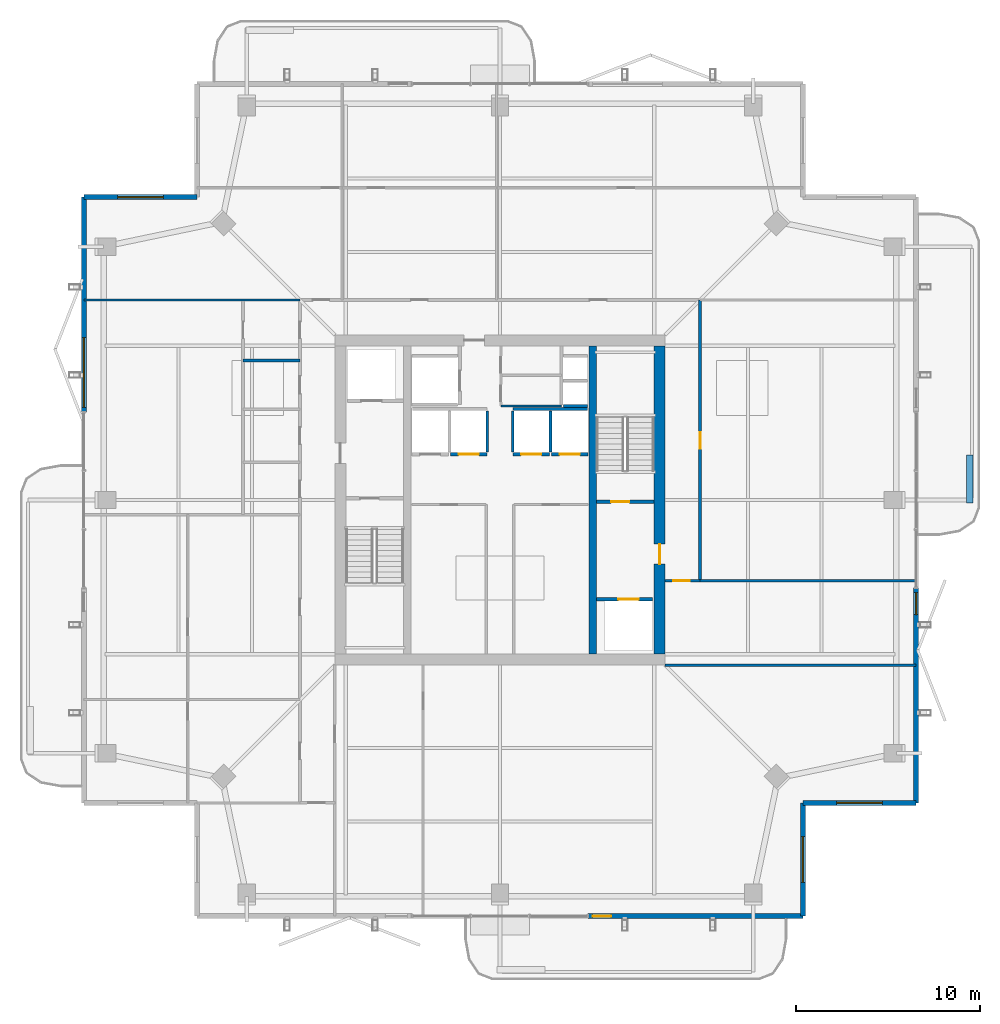
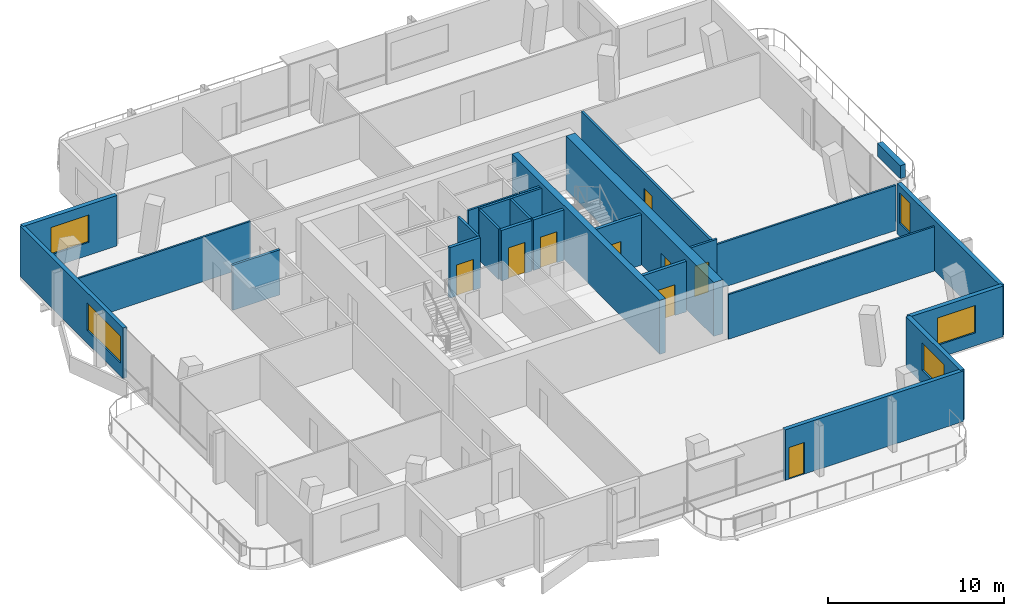
# One storey, part 15 of 20: 26 walls, 9 doors, 5 windows, 14 openings.
"""IFC4 building model written with IfcOpenShell, lengths in metres."""

from ifc_helpers import new_model, si_unit, direction, frame, frame_2d, origin, place, context, subcontext, project, spatial, rectangle, extrude, material, layer, layer_set, type_object, element, fill, save


model = new_model("IFC4")

# Units and contexts
model_context = context("Model", 3, precision=1e-05, world=origin(), true_north=direction((0.0, 1.0)))
body_context = subcontext(model_context, "Body", "Model", "MODEL_VIEW")
ifc_project = project(units=[si_unit("LENGTHUNIT", "METRE"), si_unit("AREAUNIT", "SQUARE_METRE"), si_unit("VOLUMEUNIT", "CUBIC_METRE"), si_unit("PLANEANGLEUNIT", "RADIAN"), si_unit("MASSUNIT", "GRAM", prefix="KILO")], contexts=[model_context])

# Site, building, storey
site_placement = place(None, origin())
site = spatial("IfcSite", under=ifc_project, at=site_placement, CompositionType="ELEMENT")
building_placement = place(site_placement, origin())
building = spatial("IfcBuilding", under=site, at=building_placement, Name="Belovzor Exchange Tower", CompositionType="ELEMENT")
storey_placement = place(building_placement, frame((0.0, 0.0, 329.25)))
storey = spatial("IfcBuildingStorey", under=building, at=storey_placement, Name="L82", CompositionType="ELEMENT", Elevation=329.25)

# Walls
ifc_material_1 = material(Name="Acoustic Plasterboard on Galvanised Studs", Category="gypsum")
ifc_layer_1 = layer(ifc_material_1, 0.1201171875)
ifc_layer_set_1 = layer_set([ifc_layer_1], Name="Acoustic Plasterboard on Galvanised Studs")
wall_type_1 = type_object("IfcWallType", Name="Acoustic Double-Stud Partition Wall 120", PredefinedType="PARTITIONING", material=ifc_layer_set_1)
wall_1_placement = place(storey_placement, frame((37.800048828125, 19.800048828125, 0.0), z_axis=(0.0, 0.0, 1.0), x_axis=(1.0, 0.0, 0.0)))
element("IfcWall", 1, at=wall_1_placement, inside=storey, type_object=wall_type_1, Name="W-P120 Partition Wall W-L82-ESS", PredefinedType="PARTITIONING", context=body_context, shape_type="SweptSolid", body=[
    extrude(rectangle(XDim=13.669921875, YDim=0.1201171875, at=frame_2d((6.8349609375, 0.0))), origin(), (0.0, 0.0, 1.0), 3.094970703125),
])
wall_2_placement = place(storey_placement, frame((39.699951171875, 24.39990234375, 0.0), z_axis=(0.0, 0.0, 1.0), x_axis=(1.0, 0.0, 0.0)))
element("IfcWall", 2, at=wall_2_placement, inside=storey, type_object=wall_type_1, Name="W-P120 Partition Wall W-L82-ESN", PredefinedType="PARTITIONING", context=body_context, shape_type="SweptSolid", body=[
    extrude(rectangle(XDim=11.77001953125, YDim=0.1201171875, at=frame_2d((5.885009765625, 0.0))), origin(), (0.0, 0.0, 1.0), 3.135009765625),
])
wall_3_placement = place(storey_placement, frame((6.1298828125, 39.699951171875, 0.0), z_axis=(0.0, 0.0, 1.0), x_axis=(1.0, 0.0, 0.0)))
element("IfcWall", 3, at=wall_3_placement, inside=storey, type_object=wall_type_1, Name="W-P120 Partition Wall W-L82-END-NW", PredefinedType="PARTITIONING", context=body_context, shape_type="SweptSolid", body=[
    extrude(rectangle(XDim=11.77001953125, YDim=0.1201171875, at=frame_2d((5.885009765625, 0.0))), origin(), (0.0, 0.0, 1.0), 3.094970703125),
])
ifc_material_2 = material(Name="Fire-Rated Plasterboard on Galvanised Studs", Category="gypsum")
ifc_layer_2 = layer(ifc_material_2, 0.1201171875)
ifc_layer_set_2 = layer_set([ifc_layer_2], Name="Fire-Rated Plasterboard on Galvanised Studs")
wall_type_2 = type_object("IfcWallType", Name="Fire-Rated Double-Stud Partition Wall 120", PredefinedType="PARTITIONING", material=ifc_layer_set_2)
wall_4_placement = place(storey_placement, frame((28.85009765625, 33.925048828125, 0.0), z_axis=(0.0, 0.0, 1.0), x_axis=(1.0, 0.0, 0.0)))
element("IfcWall", 4, at=wall_4_placement, inside=storey, type_object=wall_type_2, Name="W-P120F Partition Wall W-CRV-L82-S", PredefinedType="PARTITIONING", context=body_context, shape_type="SweptSolid", body=[
    extrude(rectangle(XDim=3.2998046875, YDim=0.1201171875, at=frame_2d((1.64990234375, 0.0))), origin(), (0.0, 0.0, 1.0), 3.510009765625),
])
ifc_material_3 = material(Name="Fire-Rated Gypsum Block and Mineral Wool", Category="gypsum")
ifc_layer_3 = layer(ifc_material_3, 0.14990234375)
ifc_layer_set_3 = layer_set([ifc_layer_3], Name="Fire-Rated Gypsum Block and Mineral Wool")
wall_type_3 = type_object("IfcWallType", Name="Fire-Rated Gypsum Block Corridor Wall 150", PredefinedType="PARTITIONING", material=ifc_layer_set_3)
wall_5_placement = place(storey_placement, frame((14.800048828125, 36.39990234375, 0.0), z_axis=(0.0, 0.0, 1.0), x_axis=(1.0, 0.0, 0.0)))
element("IfcWall", 5, at=wall_5_placement, inside=storey, type_object=wall_type_3, Name="W-P150 Partition Wall W-L82-WCN", PredefinedType="PARTITIONING", context=body_context, shape_type="SweptSolid", body=[
    extrude(rectangle(XDim=3.099853515625, YDim=0.14990234375, at=frame_2d((1.5498046875, 0.0))), origin(), (0.0, 0.0, 1.0), 3.135009765625),
])

# Wall, opening, door
wall_6_placement = place(storey_placement, frame((37.800048828125, 24.39990234375, 0.0), z_axis=(0.0, 0.0, 1.0), x_axis=(1.0, 0.0, 0.0)))
wall_6 = element("IfcWall", 6, at=wall_6_placement, inside=storey, type_object=wall_type_3, Name="W-P150 Partition Wall W-L82-CE-END", PredefinedType="PARTITIONING", context=body_context, shape_type="SweptSolid", body=[
    extrude(rectangle(XDim=1.89990234375, YDim=0.14990234375, at=frame_2d((0.949951171875, 0.0))), origin(), (0.0, 0.0, 1.0), 3.510009765625),
])
opening_1_placement = place(wall_6_placement, frame((0.449951171875, 0.0, 0.0)))
opening_1 = element("IfcOpeningElement", 7, at=opening_1_placement, cuts=wall_6, Name="Opening D-FD60-090", PredefinedType="OPENING", context=body_context, shape_type="SweptSolid", body=[
    extrude(rectangle(XDim=0.89990234375, YDim=2.10009765625, at=frame_2d((0.449951171875, 1.050048828125))), frame((0.0, 0.0849609375, 0.0), z_axis=(0.0, -1.0, 0.0), x_axis=(1.0, 0.0, 0.0)), (0.0, 0.0, 1.0), 0.169921875),
])
ifc_material_4 = material(Name="Acoustic Timber Fire Leaf", Category="wood")
door_type_1 = type_object("IfcDoorType", Name="Core Service & Restroom Fire Door 900x2100", OperationType="NOTDEFINED", PredefinedType="DOOR", material=ifc_material_4)
door_1_placement = place(opening_1_placement, origin())
door_1 = element("IfcDoor", 8, at=door_1_placement, inside=storey, type_object=door_type_1, Name="D-FD60-090 Core Service & Restroom Fire Door 900x2100", OperationType="SINGLE_SWING_LEFT", OverallHeight=2.10009765625, OverallWidth=0.89990234375, PredefinedType="DOOR", context=body_context, shape_type="SweptSolid", body=[
    extrude(rectangle(XDim=0.89990234375, YDim=2.10009765625, at=frame_2d((0.449951171875, 1.050048828125))), frame((0.0, 0.02490234375, 0.0), z_axis=(0.0, -1.0, 0.0), x_axis=(1.0, 0.0, 0.0)), (0.0, 0.0, 1.0), 0.050048828125),
])
fill(opening_1, door_1)

wall_7_placement = place(storey_placement, frame((39.699951171875, 24.39990234375, 0.0), z_axis=(0.0, 0.0, 1.0), x_axis=(0.0, 1.0, 0.0)))
wall_7 = element("IfcWall", 9, at=wall_7_placement, inside=storey, type_object=wall_type_3, Name="W-P150 Partition Wall W-L82-CE", PredefinedType="PARTITIONING", context=body_context, shape_type="SweptSolid", body=[
    extrude(rectangle(XDim=15.300048828125, YDim=0.14990234375, at=frame_2d((7.64990234375, 0.0))), origin(), (0.0, 0.0, 1.0), 3.094970703125),
])
opening_2_placement = place(wall_7_placement, frame((7.199951171875, 0.0, 0.0)))
opening_2 = element("IfcOpeningElement", 10, at=opening_2_placement, cuts=wall_7, Name="Opening D-INT-090", PredefinedType="OPENING", context=body_context, shape_type="SweptSolid", body=[
    extrude(rectangle(XDim=0.89990234375, YDim=2.10009765625, at=frame_2d((0.449951171875, 1.050048828125))), frame((0.0, 0.0849609375, 0.0), z_axis=(0.0, -1.0, 0.0), x_axis=(1.0, 0.0, 0.0)), (0.0, 0.0, 1.0), 0.169921875),
])
ifc_material_5 = material(Name="Veneered Hardwood Acoustic Leaf", Category="wood")
door_type_2 = type_object("IfcDoorType", Name="Trading Suite Acoustic Single Door 900x2100", OperationType="NOTDEFINED", PredefinedType="DOOR", material=ifc_material_5)
door_2_placement = place(opening_2_placement, origin())
door_2 = element("IfcDoor", 11, at=door_2_placement, inside=storey, type_object=door_type_2, Name="D-INT-090 Trading Suite Acoustic Single Door 900x2100", OperationType="SINGLE_SWING_RIGHT", OverallHeight=2.10009765625, OverallWidth=0.89990234375, PredefinedType="DOOR", context=body_context, shape_type="SweptSolid", body=[
    extrude(rectangle(XDim=0.89990234375, YDim=2.10009765625, at=frame_2d((0.449951171875, 1.050048828125))), frame((0.0, 0.02490234375, 0.0), z_axis=(0.0, -1.0, 0.0), x_axis=(1.0, 0.0, 0.0)), (0.0, 0.0, 1.0), 0.050048828125),
])
fill(opening_2, door_2)

# Wall, opening, window
ifc_material_6 = material(Name="Precast concrete C40/50", Category="concrete")
ifc_layer_4 = layer(ifc_material_6, 0.280029296875)
ifc_layer_set_4 = layer_set([ifc_layer_4], Name="Precast concrete C40/50")
wall_type_4 = type_object("IfcWallType", Name="Precast Concrete Notched Corner Frame Wall 280", PredefinedType="SOLIDWALL", material=ifc_layer_set_4)
wall_8_placement = place(storey_placement, frame((6.1298828125, 45.300048828125, 0.0), z_axis=(0.0, 0.0, 1.0), x_axis=(1.0, 0.0, 0.0)))
wall_8 = element("IfcWall", 12, at=wall_8_placement, inside=storey, type_object=wall_type_4, Name="W-CRN280 Precast Concrete Notched Corner Frame Wall 280 L82", PredefinedType="SOLIDWALL", context=body_context, shape_type="SweptSolid", body=[
    extrude(rectangle(XDim=6.170166015625, YDim=0.280029296875, at=frame_2d((3.0849609375, 0.0))), origin(), (0.0, 0.0, 1.0), 3.510009765625),
])
opening_3_placement = place(wall_8_placement, frame((1.8349609375, 0.0, 0.89990234375)))
opening_3 = element("IfcOpeningElement", 13, at=opening_3_placement, cuts=wall_8, Name="Opening WN-CRN250", PredefinedType="OPENING", context=body_context, shape_type="SweptSolid", body=[
    extrude(rectangle(XDim=2.5, YDim=1.89990234375, at=frame_2d((1.25, 0.949951171875))), frame((0.0, 0.14990234375, 0.0), z_axis=(0.0, -1.0, 0.0), x_axis=(1.0, 0.0, 0.0)), (0.0, 0.0, 1.0), 0.300048828125),
])
ifc_material_7 = material(Name="Thermally Broken Aluminium and Triple Glazing", Category="aluminium")
window_type_1 = type_object("IfcWindowType", Name="Streamline Moderne Corner Wrap Ribbon Window 2500x1900", PartitioningType="SINGLE_PANEL", PredefinedType="WINDOW", material=ifc_material_7)
window_1_placement = place(opening_3_placement, origin())
window_1 = element("IfcWindow", 14, at=window_1_placement, inside=storey, type_object=window_type_1, Name="WN-CRN250 Streamline Moderne Corner Wrap Ribbon Window 2500x1900", OverallHeight=1.89990234375, OverallWidth=2.5, PartitioningType="SINGLE_PANEL", PredefinedType="WINDOW", context=body_context, shape_type="SweptSolid", body=[
    extrude(rectangle(XDim=2.5, YDim=1.89990234375, at=frame_2d((1.25, 0.949951171875))), frame((0.0, 0.030029296875, 0.0), z_axis=(0.0, -1.0, 0.0), x_axis=(1.0, 0.0, 0.0)), (0.0, 0.0, 1.0), 0.06005859375),
])
fill(opening_3, window_1)

wall_9_placement = place(storey_placement, frame((51.469970703125, 12.300048828125, 0.0), z_axis=(0.0, 0.0, 1.0), x_axis=(-1.0, 0.0, 0.0)))
wall_9 = element("IfcWall", 15, at=wall_9_placement, inside=storey, type_object=wall_type_4, Name="W-CRN280 Precast Concrete Notched Corner Frame Wall 280 L82", PredefinedType="SOLIDWALL", context=body_context, shape_type="SweptSolid", body=[
    extrude(rectangle(XDim=6.169921875, YDim=0.280029296875, at=frame_2d((3.0849609375, 0.0))), origin(), (0.0, 0.0, 1.0), 3.510009765625),
])
opening_4_placement = place(wall_9_placement, frame((1.8349609375, 0.0, 0.89990234375)))
opening_4 = element("IfcOpeningElement", 16, at=opening_4_placement, cuts=wall_9, Name="Opening WN-CRN250", PredefinedType="OPENING", context=body_context, shape_type="SweptSolid", body=[
    extrude(rectangle(XDim=2.5, YDim=1.89990234375, at=frame_2d((1.25, 0.949951171875))), frame((0.0, 0.14990234375, 0.0), z_axis=(0.0, -1.0, 0.0), x_axis=(1.0, 0.0, 0.0)), (0.0, 0.0, 1.0), 0.300048828125),
])
window_2_placement = place(opening_4_placement, origin())
window_2 = element("IfcWindow", 17, at=window_2_placement, inside=storey, type_object=window_type_1, Name="WN-CRN250 Streamline Moderne Corner Wrap Ribbon Window 2500x1900", OverallHeight=1.89990234375, OverallWidth=2.5, PartitioningType="SINGLE_PANEL", PredefinedType="WINDOW", context=body_context, shape_type="SweptSolid", body=[
    extrude(rectangle(XDim=2.5, YDim=1.89990234375, at=frame_2d((1.25, 0.949951171875))), frame((0.0, 0.030029296875, 0.0), z_axis=(0.0, -1.0, 0.0), x_axis=(1.0, 0.0, 0.0)), (0.0, 0.0, 1.0), 0.06005859375),
])
fill(opening_4, window_2)

wall_10_placement = place(storey_placement, frame((45.300048828125, 12.300048828125, 0.0), z_axis=(0.0, 0.0, 1.0), x_axis=(0.0, -1.0, 0.0)))
wall_10 = element("IfcWall", 18, at=wall_10_placement, inside=storey, type_object=wall_type_4, Name="W-CRN280 Precast Concrete Notched Corner Frame Wall 280 L82", PredefinedType="SOLIDWALL", context=body_context, shape_type="SweptSolid", body=[
    extrude(rectangle(XDim=6.170166015625, YDim=0.280029296875, at=frame_2d((3.0849609375, 0.0))), origin(), (0.0, 0.0, 1.0), 3.510009765625),
])
opening_5_placement = place(wall_10_placement, frame((1.8349609375, 0.0, 0.89990234375)))
opening_5 = element("IfcOpeningElement", 19, at=opening_5_placement, cuts=wall_10, Name="Opening WN-CRN250", PredefinedType="OPENING", context=body_context, shape_type="SweptSolid", body=[
    extrude(rectangle(XDim=2.5, YDim=1.89990234375, at=frame_2d((1.25, 0.949951171875))), frame((0.0, 0.14990234375, 0.0), z_axis=(0.0, -1.0, 0.0), x_axis=(1.0, 0.0, 0.0)), (0.0, 0.0, 1.0), 0.300048828125),
])
window_3_placement = place(opening_5_placement, origin())
window_3 = element("IfcWindow", 20, at=window_3_placement, inside=storey, type_object=window_type_1, Name="WN-CRN250 Streamline Moderne Corner Wrap Ribbon Window 2500x1900", OverallHeight=1.89990234375, OverallWidth=2.5, PartitioningType="SINGLE_PANEL", PredefinedType="WINDOW", context=body_context, shape_type="SweptSolid", body=[
    extrude(rectangle(XDim=2.5, YDim=1.89990234375, at=frame_2d((1.25, 0.949951171875))), frame((0.0, 0.030029296875, 0.0), z_axis=(0.0, -1.0, 0.0), x_axis=(1.0, 0.0, 0.0)), (0.0, 0.0, 1.0), 0.06005859375),
])
fill(opening_5, window_3)

# Wall, opening, door
ifc_material_8 = material(Name="Precast concrete C40/50", Category="concrete")
ifc_layer_5 = layer(ifc_material_8, 0.260009765625)
ifc_layer_set_5 = layer_set([ifc_layer_5], Name="Precast concrete C40/50")
wall_type_5 = type_object("IfcWallType", Name="Precast Concrete Perimeter Loggia Frame Wall 260", PredefinedType="SOLIDWALL", material=ifc_layer_set_5)
wall_11_placement = place(storey_placement, frame((45.300048828125, 6.1298828125, 0.0), z_axis=(0.0, 0.0, 1.0), x_axis=(-1.0, 0.0, 0.0)))
wall_11 = element("IfcWall", 21, at=wall_11_placement, inside=storey, type_object=wall_type_5, Name="W-EXT260 Precast Concrete Perimeter Loggia Frame Wall 260 L82", PredefinedType="SOLIDWALL", context=body_context, shape_type="SweptSolid", body=[
    extrude(rectangle(XDim=11.699951171875, YDim=0.260009765625, at=frame_2d((5.85009765625, 0.0))), origin(), (0.0, 0.0, 1.0), 3.510009765625),
])
opening_6_placement = place(wall_11_placement, frame((10.449951171875, 0.0, 0.0)))
opening_6 = element("IfcOpeningElement", 22, at=opening_6_placement, cuts=wall_11, Name="Opening D-BAL100", PredefinedType="OPENING", context=body_context, shape_type="SweptSolid", body=[
    extrude(rectangle(XDim=1.0, YDim=2.199951171875, at=frame_2d((0.5, 1.10009765625))), frame((0.0, 0.139892578125, 0.0), z_axis=(0.0, -1.0, 0.0), x_axis=(1.0, 0.0, 0.0)), (0.0, 0.0, 1.0), 0.280029296875),
])
ifc_material_9 = material(Name="Thermally Broken Anodised Aluminium and Laminated Glass", Category="aluminium")
door_type_3 = type_object("IfcDoorType", Name="Planted Loggia Terrace Glazed Door 1000x2200", OperationType="SINGLE_SWING_LEFT", PredefinedType="DOOR", material=ifc_material_9)
door_3_placement = place(opening_6_placement, origin())
door_3 = element("IfcDoor", 23, at=door_3_placement, inside=storey, type_object=door_type_3, Name="D-BAL100 Balcony Terrace Door L82 S", OperationType="SINGLE_SWING_LEFT", OverallHeight=2.199951171875, OverallWidth=1.0, PredefinedType="DOOR", context=body_context, shape_type="SweptSolid", body=[
    extrude(rectangle(XDim=1.0, YDim=2.199951171875, at=frame_2d((0.5, 1.10009765625))), frame((0.0, 0.02490234375, 0.0), z_axis=(0.0, -1.0, 0.0), x_axis=(1.0, 0.0, 0.0)), (0.0, 0.0, 1.0), 0.050048828125),
])
fill(opening_6, door_3)

# Wall, opening, window
wall_12_placement = place(storey_placement, frame((6.1298828125, 33.60009765625, 0.0), z_axis=(0.0, 0.0, 1.0), x_axis=(0.0, 1.0, 0.0)))
wall_12 = element("IfcWall", 24, at=wall_12_placement, inside=storey, type_object=wall_type_5, Name="W-EXT260 Precast Concrete Perimeter Loggia Frame Wall 260 L82", PredefinedType="SOLIDWALL", context=body_context, shape_type="SweptSolid", body=[
    extrude(rectangle(XDim=11.699951171875, YDim=0.260009765625, at=frame_2d((5.85009765625, 0.0))), origin(), (0.0, 0.0, 1.0), 3.510009765625),
])
opening_7_placement = place(wall_12_placement, frame((0.25, 0.0, 0.89990234375)))
opening_7 = element("IfcOpeningElement", 25, at=opening_7_placement, cuts=wall_12, Name="Opening WN-RIB380", PredefinedType="OPENING", context=body_context, shape_type="SweptSolid", body=[
    extrude(rectangle(XDim=3.800048828125, YDim=1.89990234375, at=frame_2d((1.89990234375, 0.949951171875))), frame((0.0, 0.139892578125, 0.0), z_axis=(0.0, -1.0, 0.0), x_axis=(1.0, 0.0, 0.0)), (0.0, 0.0, 1.0), 0.280029296875),
])
ifc_material_10 = material(Name="Thermally Broken Aluminium and Triple Glazing", Category="aluminium")
window_type_2 = type_object("IfcWindowType", Name="Streamline Moderne Horizontal Ribbon Window 3800x1900", PartitioningType="SINGLE_PANEL", PredefinedType="WINDOW", material=ifc_material_10)
window_4_placement = place(opening_7_placement, origin())
window_4 = element("IfcWindow", 26, at=window_4_placement, inside=storey, type_object=window_type_2, Name="WN-RIB380 Streamline Moderne Horizontal Ribbon Window 3800x1900", OverallHeight=1.89990234375, OverallWidth=3.800048828125, PartitioningType="SINGLE_PANEL", PredefinedType="WINDOW", context=body_context, shape_type="SweptSolid", body=[
    extrude(rectangle(XDim=3.800048828125, YDim=1.89990234375, at=frame_2d((1.89990234375, 0.949951171875))), frame((0.0, 0.030029296875, 0.0), z_axis=(0.0, -1.0, 0.0), x_axis=(1.0, 0.0, 0.0)), (0.0, 0.0, 1.0), 0.06005859375),
])
fill(opening_7, window_4)

wall_13_placement = place(storey_placement, frame((51.469970703125, 24.0, 0.0), z_axis=(0.0, 0.0, 1.0), x_axis=(0.0, -1.0, 0.0)))
wall_13 = element("IfcWall", 27, at=wall_13_placement, inside=storey, type_object=wall_type_5, Name="W-EXT260 Precast Concrete Perimeter Loggia Frame Wall 260 L82", PredefinedType="SOLIDWALL", context=body_context, shape_type="SweptSolid", body=[
    extrude(rectangle(XDim=11.699951171875, YDim=0.260009765625, at=frame_2d((5.85009765625, 0.0))), origin(), (0.0, 0.0, 1.0), 3.510009765625),
])
opening_8_placement = place(wall_13_placement, frame((0.25, 0.0, 0.89990234375)))
opening_8 = element("IfcOpeningElement", 28, at=opening_8_placement, cuts=wall_13, Name="Opening WN-CRN120", PredefinedType="OPENING", context=body_context, shape_type="SweptSolid", body=[
    extrude(rectangle(XDim=1.199951171875, YDim=2.10009765625, at=frame_2d((0.60009765625, 1.050048828125))), frame((0.0, 0.139892578125, 0.0), z_axis=(0.0, -1.0, 0.0), x_axis=(1.0, 0.0, 0.0)), (0.0, 0.0, 1.0), 0.280029296875),
])
ifc_material_11 = material(Name="Thermally Broken Aluminium and Triple Glazing", Category="aluminium")
window_type_3 = type_object("IfcWindowType", Name="Streamline Notched Corner Window 1200x2100", PartitioningType="SINGLE_PANEL", PredefinedType="WINDOW", material=ifc_material_11)
window_5_placement = place(opening_8_placement, origin())
window_5 = element("IfcWindow", 29, at=window_5_placement, inside=storey, type_object=window_type_3, Name="WN-CRN120 Streamline Notched Corner Window 1200x2100", OverallHeight=2.10009765625, OverallWidth=1.199951171875, PartitioningType="SINGLE_PANEL", PredefinedType="WINDOW", context=body_context, shape_type="SweptSolid", body=[
    extrude(rectangle(XDim=1.199951171875, YDim=2.10009765625, at=frame_2d((0.60009765625, 1.050048828125))), frame((0.0, 0.030029296875, 0.0), z_axis=(0.0, -1.0, 0.0), x_axis=(1.0, 0.0, 0.0)), (0.0, 0.0, 1.0), 0.06005859375),
])
fill(opening_8, window_5)

# Walls
ifc_material_12 = material(Name="Precast concrete C40/50", Category="concrete")
ifc_layer_6 = layer(ifc_material_12, 0.35009765625)
ifc_layer_set_6 = layer_set([ifc_layer_6], Name="Precast concrete C40/50")
wall_type_6 = type_object("IfcWallType", Name="Precast Concrete Structural Tree Planter Trough 350", PredefinedType="PARAPET", material=ifc_layer_set_6)
wall_14_placement = place(storey_placement, frame((54.39990234375, 28.64990234375, 0.0), z_axis=(0.0, 0.0, 1.0), x_axis=(0.0, 1.0, 0.0)))
element("IfcWall", 30, at=wall_14_placement, inside=storey, type_object=wall_type_6, Name="PT-350 Precast Concrete Structural Tree Planter Trough 350 L82", PredefinedType="PARAPET", context=body_context, shape_type="SweptSolid", body=[
    extrude(rectangle(XDim=2.60009765625, YDim=0.35009765625, at=frame_2d((1.300048828125, 0.0))), origin(), (0.0, 0.0, 1.0), 0.89990234375),
])
ifc_material_13 = material(Name="Concrete C50/60", Category="concrete")
ifc_layer_7 = layer(ifc_material_13, 0.39990234375)
ifc_layer_set_7 = layer_set([ifc_layer_7], Name="Concrete C50/60")
wall_type_7 = type_object("IfcWallType", Name="Reinforced Concrete Core Internal Web Wall 400", PredefinedType="SHEAR", material=ifc_layer_set_7)
wall_15_placement = place(storey_placement, frame((33.85009765625, 20.39990234375, 0.0), z_axis=(0.0, 0.0, 1.0), x_axis=(0.0, 1.0, 0.0)))
element("IfcWall", 31, at=wall_15_placement, inside=storey, type_object=wall_type_7, Name="CW-W040 Core Internal Web Wall L82 ER", PredefinedType="SHEAR", context=body_context, shape_type="SweptSolid", body=[
    extrude(rectangle(XDim=16.800048828125, YDim=0.39990234375, at=frame_2d((8.39990234375, 0.0))), origin(), (0.0, 0.0, 1.0), 3.75),
])
ifc_material_14 = material(Name="Concrete C50/60", Category="concrete")
ifc_layer_8 = layer(ifc_material_14, 0.14990234375)
ifc_layer_set_8 = layer_set([ifc_layer_8], Name="Concrete C50/60")
wall_type_8 = type_object("IfcWallType", Name="Reinforced Concrete Core Riser Shear Wall 150", PredefinedType="SHEAR", material=ifc_layer_set_8)
wall_16_placement = place(storey_placement, frame((32.25, 33.925048828125, 0.0), z_axis=(0.0, 0.0, 1.0), x_axis=(1.0, 0.0, 0.0)))
element("IfcWall", 32, at=wall_16_placement, inside=storey, type_object=wall_type_8, Name="W-C150S Core Shaft Wall W-RSR-L82-S", PredefinedType="SHEAR", context=body_context, shape_type="SweptSolid", body=[
    extrude(rectangle(XDim=1.330078125, YDim=0.14990234375, at=frame_2d((0.6650390625, 0.0))), origin(), (0.0, 0.0, 1.0), 3.510009765625),
])
wall_17_placement = place(storey_placement, frame((29.5, 33.760009765625, 0.0), z_axis=(0.0, 0.0, 1.0), x_axis=(1.0, 0.0, 0.0)))
element("IfcWall", 33, at=wall_17_placement, inside=storey, type_object=wall_type_8, Name="W-C150S Core Shaft Wall W-SHB-L82-PLH-NE", PredefinedType="SHEAR", context=body_context, shape_type="SweptSolid", body=[
    extrude(rectangle(XDim=4.080078125, YDim=0.14990234375, at=frame_2d((2.0400390625, 0.0))), origin(), (0.0, 0.0, 1.0), 3.510009765625),
])
for number, where, z_axis, x_axis, name in (
    (34, (28.10009765625, 31.419921875, 0.0), (0.0, 0.0, 1.0), (0.0, 1.0, 0.0), "W-C150S Core Shaft Wall W-SHD-L82-PLH-2"),
    (35, (29.5, 31.419921875, 0.0), (0.0, 0.0, 1.0), (0.0, 1.0, 0.0), "W-C150S Core Shaft Wall W-SHD-L82-PLH-3"),
    (36, (31.550048828125, 31.419921875, 0.0), (0.0, 0.0, 1.0), (0.0, 1.0, 0.0), "W-C150S Core Shaft Wall W-SHD-L82-PLH-4"),
):
    element("IfcWall", number, at=place(storey_placement, frame(where, z_axis=z_axis, x_axis=x_axis)), inside=storey, type_object=wall_type_8, Name=name, PredefinedType="SHEAR", context=body_context, shape_type="SweptSolid", body=[
        extrude(rectangle(XDim=2.239990234375, YDim=0.14990234375, at=frame_2d((1.1201171875, 0.0))), origin(), (0.0, 0.0, 1.0), 3.510009765625),
    ])

# Wall, opening, door
ifc_material_15 = material(Name="Concrete C50/60", Category="concrete")
ifc_layer_9 = layer(ifc_material_15, 0.199951171875)
ifc_layer_set_9 = layer_set([ifc_layer_9], Name="Concrete C50/60")
wall_type_9 = type_object("IfcWallType", Name="Reinforced Concrete Core Shaft Shear Wall 200", PredefinedType="SHEAR", material=ifc_layer_set_9)
wall_18_placement = place(storey_placement, frame((34.050048828125, 28.699951171875, 0.0), z_axis=(0.0, 0.0, 1.0), x_axis=(1.0, 0.0, 0.0)))
wall_18 = element("IfcWall", 37, at=wall_18_placement, inside=storey, type_object=wall_type_9, Name="W-C200S Core Shaft Wall W-CORE-L82-FFLE2", PredefinedType="SHEAR", context=body_context, shape_type="SweptSolid", body=[
    extrude(rectangle(XDim=3.14990234375, YDim=0.199951171875, at=frame_2d((1.574951171875, 0.0))), origin(), (0.0, 0.0, 1.0), 3.510009765625),
])
opening_9_placement = place(wall_18_placement, frame((0.800048828125, 0.0, 0.0)))
opening_9 = element("IfcOpeningElement", 38, at=opening_9_placement, cuts=wall_18, Name="Opening D-FD90-100", PredefinedType="OPENING", context=body_context, shape_type="SweptSolid", body=[
    extrude(rectangle(XDim=1.0, YDim=2.10009765625, at=frame_2d((0.5, 1.050048828125))), frame((0.0, 0.10986328125, 0.0), z_axis=(0.0, -1.0, 0.0), x_axis=(1.0, 0.0, 0.0)), (0.0, 0.0, 1.0), 0.219970703125),
])
ifc_material_16 = material(Name="Fire-Rated Galvanised Steel Leaf", Category="steel")
door_type_4 = type_object("IfcDoorType", Name="Protected Stairwell Single Fire Door 1000x2100", OperationType="NOTDEFINED", PredefinedType="DOOR", material=ifc_material_16)
door_4_placement = place(opening_9_placement, origin())
door_4 = element("IfcDoor", 39, at=door_4_placement, inside=storey, type_object=door_type_4, Name="D-FD90-100 Protected Stairwell Single Fire Door 1000x2100", OperationType="SINGLE_SWING_LEFT", OverallHeight=2.10009765625, OverallWidth=1.0, PredefinedType="DOOR", context=body_context, shape_type="SweptSolid", body=[
    extrude(rectangle(XDim=1.0, YDim=2.10009765625, at=frame_2d((0.5, 1.050048828125))), frame((0.0, 0.02490234375, 0.0), z_axis=(0.0, -1.0, 0.0), x_axis=(1.0, 0.0, 0.0)), (0.0, 0.0, 1.0), 0.050048828125),
])
fill(opening_9, door_4)

wall_19_placement = place(storey_placement, frame((34.050048828125, 23.39990234375, 0.0), z_axis=(0.0, 0.0, 1.0), x_axis=(1.0, 0.0, 0.0)))
wall_19 = element("IfcWall", 40, at=wall_19_placement, inside=storey, type_object=wall_type_9, Name="W-C200S Core Shaft Wall W-SH-L82-FFL-02", PredefinedType="SHEAR", context=body_context, shape_type="SweptSolid", body=[
    extrude(rectangle(XDim=3.050048828125, YDim=0.199951171875, at=frame_2d((1.52490234375, 0.0))), origin(), (0.0, 0.0, 1.0), 3.510009765625),
])
opening_10_placement = place(wall_19_placement, frame((1.199951171875, 0.0, 0.0)))
opening_10 = element("IfcOpeningElement", 41, at=opening_10_placement, cuts=wall_19, Name="Opening LD-110", PredefinedType="OPENING", context=body_context, shape_type="SweptSolid", body=[
    extrude(rectangle(XDim=1.10009765625, YDim=2.14990234375, at=frame_2d((0.550048828125, 1.074951171875))), frame((0.0, 0.10986328125, 0.0), z_axis=(0.0, -1.0, 0.0), x_axis=(1.0, 0.0, 0.0)), (0.0, 0.0, 1.0), 0.219970703125),
])
ifc_material_17 = material(Name="Stainless Steel Grade 304", Category="steel")
door_type_5 = type_object("IfcDoorType", Name="Automated Stainless Steel Lift Landing Door 1100x2150", OperationType="SLIDING_TO_RIGHT", PredefinedType="DOOR", material=ifc_material_17)
door_5_placement = place(opening_10_placement, origin())
door_5 = element("IfcDoor", 42, at=door_5_placement, inside=storey, type_object=door_type_5, Name="LD-110 Automated Stainless Steel Lift Landing Door 1100x2150", OperationType="SLIDING_TO_RIGHT", OverallHeight=2.14990234375, OverallWidth=1.10009765625, PredefinedType="DOOR", context=body_context, shape_type="SweptSolid", body=[
    extrude(rectangle(XDim=1.10009765625, YDim=2.14990234375, at=frame_2d((0.550048828125, 1.074951171875))), frame((0.0, 0.02490234375, 0.0), z_axis=(0.0, -1.0, 0.0), x_axis=(1.0, 0.0, 0.0)), (0.0, 0.0, 1.0), 0.050048828125),
])
fill(opening_10, door_5)

wall_20_placement = place(storey_placement, frame((26.10009765625, 31.300048828125, 0.0), z_axis=(0.0, 0.0, 1.0), x_axis=(1.0, 0.0, 0.0)))
wall_20 = element("IfcWall", 43, at=wall_20_placement, inside=storey, type_object=wall_type_9, Name="W-C200S Core Shaft Wall W-SH-L82-PL-H2", PredefinedType="SHEAR", context=body_context, shape_type="SweptSolid", body=[
    extrude(rectangle(XDim=2.0, YDim=0.199951171875, at=frame_2d((1.0, 0.0))), origin(), (0.0, 0.0, 1.0), 3.510009765625),
])
opening_11_placement = place(wall_20_placement, frame((0.449951171875, 0.0, 0.0)))
opening_11 = element("IfcOpeningElement", 44, at=opening_11_placement, cuts=wall_20, Name="Opening LD-110", PredefinedType="OPENING", context=body_context, shape_type="SweptSolid", body=[
    extrude(rectangle(XDim=1.10009765625, YDim=2.14990234375, at=frame_2d((0.550048828125, 1.074951171875))), frame((0.0, 0.10986328125, 0.0), z_axis=(0.0, -1.0, 0.0), x_axis=(1.0, 0.0, 0.0)), (0.0, 0.0, 1.0), 0.219970703125),
])
door_6_placement = place(opening_11_placement, origin())
door_6 = element("IfcDoor", 45, at=door_6_placement, inside=storey, type_object=door_type_5, Name="LD-110 Automated Stainless Steel Lift Landing Door 1100x2150", OperationType="SLIDING_TO_RIGHT", OverallHeight=2.14990234375, OverallWidth=1.10009765625, PredefinedType="DOOR", context=body_context, shape_type="SweptSolid", body=[
    extrude(rectangle(XDim=1.10009765625, YDim=2.14990234375, at=frame_2d((0.550048828125, 1.074951171875))), frame((0.0, 0.02490234375, 0.0), z_axis=(0.0, -1.0, 0.0), x_axis=(1.0, 0.0, 0.0)), (0.0, 0.0, 1.0), 0.050048828125),
])
fill(opening_11, door_6)

wall_21_placement = place(storey_placement, frame((29.5, 31.300048828125, 0.0), z_axis=(0.0, 0.0, 1.0), x_axis=(1.0, 0.0, 0.0)))
wall_21 = element("IfcWall", 46, at=wall_21_placement, inside=storey, type_object=wall_type_9, Name="W-C200S Core Shaft Wall W-SH-L82-PL-H3", PredefinedType="SHEAR", context=body_context, shape_type="SweptSolid", body=[
    extrude(rectangle(XDim=2.0, YDim=0.199951171875, at=frame_2d((1.0, 0.0))), origin(), (0.0, 0.0, 1.0), 3.510009765625),
])
opening_12_placement = place(wall_21_placement, frame((0.449951171875, 0.0, 0.0)))
opening_12 = element("IfcOpeningElement", 47, at=opening_12_placement, cuts=wall_21, Name="Opening LD-110", PredefinedType="OPENING", context=body_context, shape_type="SweptSolid", body=[
    extrude(rectangle(XDim=1.10009765625, YDim=2.14990234375, at=frame_2d((0.550048828125, 1.074951171875))), frame((0.0, 0.10986328125, 0.0), z_axis=(0.0, -1.0, 0.0), x_axis=(1.0, 0.0, 0.0)), (0.0, 0.0, 1.0), 0.219970703125),
])
door_7_placement = place(opening_12_placement, origin())
door_7 = element("IfcDoor", 48, at=door_7_placement, inside=storey, type_object=door_type_5, Name="LD-110 Automated Stainless Steel Lift Landing Door 1100x2150", OperationType="SLIDING_TO_RIGHT", OverallHeight=2.14990234375, OverallWidth=1.10009765625, PredefinedType="DOOR", context=body_context, shape_type="SweptSolid", body=[
    extrude(rectangle(XDim=1.10009765625, YDim=2.14990234375, at=frame_2d((0.550048828125, 1.074951171875))), frame((0.0, 0.02490234375, 0.0), z_axis=(0.0, -1.0, 0.0), x_axis=(1.0, 0.0, 0.0)), (0.0, 0.0, 1.0), 0.050048828125),
])
fill(opening_12, door_7)

wall_22_placement = place(storey_placement, frame((31.60009765625, 31.300048828125, 0.0), z_axis=(0.0, 0.0, 1.0), x_axis=(1.0, 0.0, 0.0)))
wall_22 = element("IfcWall", 49, at=wall_22_placement, inside=storey, type_object=wall_type_9, Name="W-C200S Core Shaft Wall W-SH-L82-PL-H4", PredefinedType="SHEAR", context=body_context, shape_type="SweptSolid", body=[
    extrude(rectangle(XDim=2.0, YDim=0.199951171875, at=frame_2d((1.0, 0.0))), origin(), (0.0, 0.0, 1.0), 3.510009765625),
])
opening_13_placement = place(wall_22_placement, frame((0.449951171875, 0.0, 0.0)))
opening_13 = element("IfcOpeningElement", 50, at=opening_13_placement, cuts=wall_22, Name="Opening LD-110", PredefinedType="OPENING", context=body_context, shape_type="SweptSolid", body=[
    extrude(rectangle(XDim=1.10009765625, YDim=2.14990234375, at=frame_2d((0.550048828125, 1.074951171875))), frame((0.0, 0.10986328125, 0.0), z_axis=(0.0, -1.0, 0.0), x_axis=(1.0, 0.0, 0.0)), (0.0, 0.0, 1.0), 0.219970703125),
])
door_8_placement = place(opening_13_placement, origin())
door_8 = element("IfcDoor", 51, at=door_8_placement, inside=storey, type_object=door_type_5, Name="LD-110 Automated Stainless Steel Lift Landing Door 1100x2150", OperationType="SLIDING_TO_RIGHT", OverallHeight=2.14990234375, OverallWidth=1.10009765625, PredefinedType="DOOR", context=body_context, shape_type="SweptSolid", body=[
    extrude(rectangle(XDim=1.10009765625, YDim=2.14990234375, at=frame_2d((0.550048828125, 1.074951171875))), frame((0.0, 0.02490234375, 0.0), z_axis=(0.0, -1.0, 0.0), x_axis=(1.0, 0.0, 0.0)), (0.0, 0.0, 1.0), 0.050048828125),
])
fill(opening_13, door_8)

ifc_material_18 = material(Name="Concrete C50/60", Category="concrete")
ifc_layer_10 = layer(ifc_material_18, 0.60009765625)
ifc_layer_set_10 = layer_set([ifc_layer_10], Name="Concrete C50/60")
wall_type_10 = type_object("IfcWallType", Name="Reinforced Concrete Core Shear Wall 600", PredefinedType="SHEAR", material=ifc_layer_set_10)
wall_23_placement = place(storey_placement, frame((37.5, 20.39990234375, 0.0), z_axis=(0.0, 0.0, 1.0), x_axis=(0.0, 1.0, 0.0)))
wall_23 = element("IfcWall", 52, at=wall_23_placement, inside=storey, type_object=wall_type_10, Name="CW-S060 Core Shear Wall L82 E", PredefinedType="SHEAR", context=body_context, shape_type="SweptSolid", body=[
    extrude(rectangle(XDim=16.800048828125, YDim=0.60009765625, at=frame_2d((8.39990234375, 0.0))), origin(), (0.0, 0.0, 1.0), 3.75),
])
opening_14_placement = place(wall_23_placement, frame((4.89990234375, 0.0, 0.0)))
opening_14 = element("IfcOpeningElement", 53, at=opening_14_placement, cuts=wall_23, Name="Opening D-FD90-110", PredefinedType="OPENING", context=body_context, shape_type="SweptSolid", body=[
    extrude(rectangle(XDim=1.10009765625, YDim=2.14990234375, at=frame_2d((0.550048828125, 1.074951171875))), frame((0.0, 0.31005859375, 0.0), z_axis=(0.0, -1.0, 0.0), x_axis=(1.0, 0.0, 0.0)), (0.0, 0.0, 1.0), 0.6201171875),
])
ifc_material_19 = material(Name="Fire-Rated Galvanised Steel Leaf", Category="steel")
door_type_6 = type_object("IfcDoorType", Name="Protected Escape Vestibule Fire Door 1100x2150", OperationType="NOTDEFINED", PredefinedType="DOOR", material=ifc_material_19)
door_9_placement = place(opening_14_placement, origin())
door_9 = element("IfcDoor", 54, at=door_9_placement, inside=storey, type_object=door_type_6, Name="D-FD90-110 Protected Escape Vestibule Fire Door 1100x2150", OperationType="SINGLE_SWING_RIGHT", OverallHeight=2.14990234375, OverallWidth=1.10009765625, PredefinedType="DOOR", context=body_context, shape_type="SweptSolid", body=[
    extrude(rectangle(XDim=1.10009765625, YDim=2.14990234375, at=frame_2d((0.550048828125, 1.074951171875))), frame((0.0, 0.02490234375, 0.0), z_axis=(0.0, -1.0, 0.0), x_axis=(1.0, 0.0, 0.0)), (0.0, 0.0, 1.0), 0.050048828125),
])
fill(opening_14, door_9)

save(model, "model.ifc")
